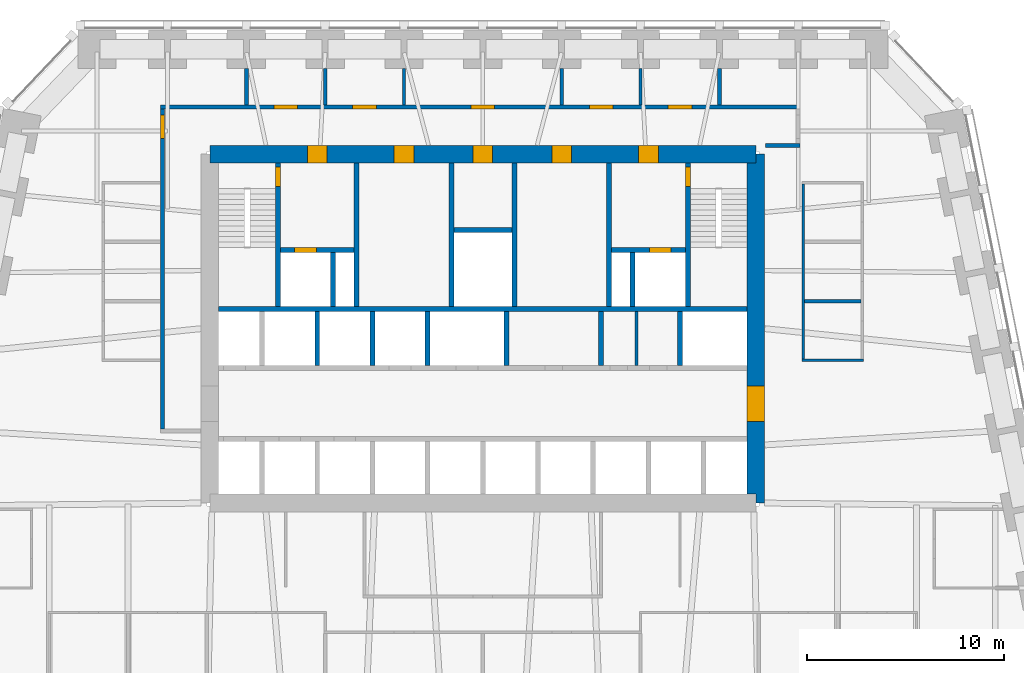
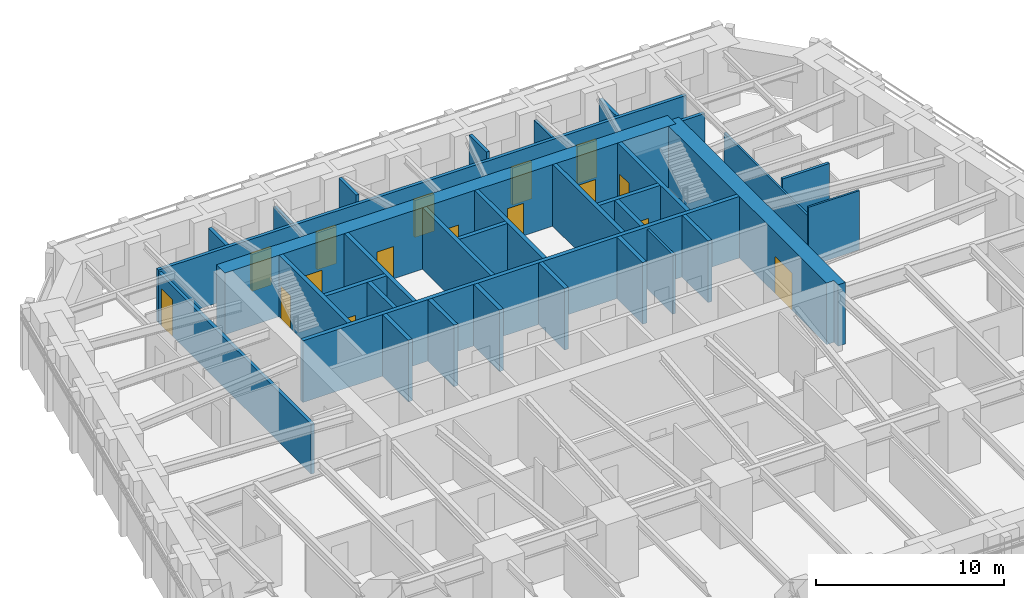
# One storey, part 7 of 10: 33 walls, 16 doors, 16 openings.
"""IFC4 building model written with IfcOpenShell, lengths in metres."""

from ifc_helpers import new_model, si_unit, direction, frame, frame_2d, origin, place, context, subcontext, project, spatial, polyline, rectangle, outline, extrude, material, layer, layer_set, type_object, element, fill, save


model = new_model("IFC4")

# Units and contexts
model_context = context("Model", 3, precision=1e-05, world=origin(), true_north=direction((0.0, 1.0)))
body_context = subcontext(model_context, "Body", "Model", "MODEL_VIEW")
ifc_project = project(units=[si_unit("LENGTHUNIT", "METRE"), si_unit("AREAUNIT", "SQUARE_METRE"), si_unit("VOLUMEUNIT", "CUBIC_METRE"), si_unit("PLANEANGLEUNIT", "RADIAN"), si_unit("MASSUNIT", "GRAM", prefix="KILO")], contexts=[model_context])

# Site, building, storey
site_placement = place(None, origin())
site = spatial("IfcSite", under=ifc_project, at=site_placement, CompositionType="ELEMENT")
building_placement = place(site_placement, origin())
building = spatial("IfcBuilding", under=site, at=building_placement, Name="Isbrekke Arena Tower", CompositionType="ELEMENT")
storey_placement = place(building_placement, frame((0.0, 0.0, 80.0)))
storey = spatial("IfcBuildingStorey", under=building, at=storey_placement, Name="L17", CompositionType="ELEMENT", Elevation=80.0)

# Wall, opening, door
ifc_material_1 = material(Name="Concrete B65 (C65/80)", Category="concrete")
ifc_layer_1 = layer(ifc_material_1, 0.89990234375)
ifc_layer_set_1 = layer_set([ifc_layer_1], Name="CW2 CORE WALL 900")
wall_type_1 = type_object("IfcWallType", Name="CW2 CORE WALL 900", PredefinedType="SHEAR", material=ifc_layer_set_1)
wall_1_placement = place(storey_placement, frame((13.85009765625, 6.14990234375, 0.0), z_axis=(0.0, 0.0, 1.0), x_axis=(0.0, 1.0, 0.0)))
wall_1 = element("IfcWall", 1, at=wall_1_placement, inside=storey, type_object=wall_type_1, Name="Core wall E L17", PredefinedType="SHEAR", context=body_context, shape_type="SweptSolid", body=[
    extrude(outline(polyline([(0.0, -0.449951171875), (17.7001953125, -0.449951171875), (17.7001953125, 0.0), (17.250244140625, 0.0), (17.250244140625, 0.449951171875), (0.449951171875, 0.449951171875), (0.449951171875, 0.0), (0.0, 0.0), (0.0, -0.449951171875)])), origin(), (0.0, 0.0, 1.0), 4.0),
])
opening_1_placement = place(wall_1_placement, frame((4.14990234375, 0.0, 0.0)))
opening_1 = element("IfcOpeningElement", 2, at=opening_1_placement, cuts=wall_1, Name="Opening D1", PredefinedType="OPENING", context=body_context, shape_type="SweptSolid", body=[
    extrude(rectangle(XDim=1.800048828125, YDim=2.39990234375, at=frame_2d((0.89990234375, 1.199951171875))), frame((0.0, 0.46484375, 0.0), z_axis=(0.0, -1.0, 0.0), x_axis=(1.0, 0.0, 0.0)), (0.0, 0.0, 1.0), 0.9296875),
])
ifc_material_2 = material(Name="Steel-framed glazed fire door", Category="steel")
door_type_1 = type_object("IfcDoorType", Name="D1 CORE LOBBY DOOR 1800 x 2400", OperationType="DOUBLE_DOOR_SINGLE_SWING", PredefinedType="DOOR", material=ifc_material_2)
door_1_placement = place(opening_1_placement, origin())
door_1 = element("IfcDoor", 3, at=door_1_placement, inside=storey, type_object=door_type_1, Name="D1 lift lobby door east L17", OperationType="DOUBLE_DOOR_SINGLE_SWING", OverallHeight=2.39990234375, OverallWidth=1.800048828125, PredefinedType="DOOR", context=body_context, shape_type="SweptSolid", body=[
    extrude(rectangle(XDim=1.800048828125, YDim=2.39990234375, at=frame_2d((0.89990234375, 1.199951171875))), frame((0.0, 0.44970703125, 0.0), z_axis=(0.0, -1.0, 0.0), x_axis=(1.0, 0.0, 0.0)), (0.0, 0.0, 1.0), 0.8994140625),
])
fill(opening_1, door_1)

# Wall, openings, doors
wall_2_placement = place(storey_placement, frame((13.85009765625, 23.85009765625, 0.0), z_axis=(0.0, 0.0, 1.0), x_axis=(-1.0, 0.0, 0.0)))
wall_2 = element("IfcWall", 4, at=wall_2_placement, inside=storey, type_object=wall_type_1, Name="Core wall N L17", PredefinedType="SHEAR", context=body_context, shape_type="SweptSolid", body=[
    extrude(rectangle(XDim=27.7001953125, YDim=0.89990234375, at=frame_2d((13.85009765625, 0.0))), origin(), (0.0, 0.0, 1.0), 4.0),
])
opening_2_placement = place(wall_2_placement, frame((21.75, 0.0, 0.0)))
opening_2 = element("IfcOpeningElement", 5, at=opening_2_placement, cuts=wall_2, Name="Opening D3", PredefinedType="OPENING", context=body_context, shape_type="SweptSolid", body=[
    extrude(rectangle(XDim=1.0, YDim=2.10009765625, at=frame_2d((0.5, 1.050048828125))), frame((0.0, 0.46484375, 0.0), z_axis=(0.0, -1.0, 0.0), x_axis=(1.0, 0.0, 0.0)), (0.0, 0.0, 1.0), 0.9296875),
])
opening_3_placement = place(wall_2_placement, frame((4.949951171875, 0.0, 0.0)))
opening_3 = element("IfcOpeningElement", 6, at=opening_3_placement, cuts=wall_2, Name="Opening D3", PredefinedType="OPENING", context=body_context, shape_type="SweptSolid", body=[
    extrude(rectangle(XDim=1.0, YDim=2.10009765625, at=frame_2d((0.5, 1.050048828125))), frame((0.0, 0.46484375, 0.0), z_axis=(0.0, -1.0, 0.0), x_axis=(1.0, 0.0, 0.0)), (0.0, 0.0, 1.0), 0.9296875),
])
opening_4_placement = place(wall_2_placement, frame((17.35009765625, 0.0, 0.0)))
opening_4 = element("IfcOpeningElement", 7, at=opening_4_placement, cuts=wall_2, Name="Opening D4", PredefinedType="OPENING", context=body_context, shape_type="SweptSolid", body=[
    extrude(rectangle(XDim=1.0, YDim=2.10009765625, at=frame_2d((0.5, 1.050048828125))), frame((0.0, 0.46484375, 0.0), z_axis=(0.0, -1.0, 0.0), x_axis=(1.0, 0.0, 0.0)), (0.0, 0.0, 1.0), 0.9296875),
])
opening_5_placement = place(wall_2_placement, frame((13.35009765625, 0.0, 0.0)))
opening_5 = element("IfcOpeningElement", 8, at=opening_5_placement, cuts=wall_2, Name="Opening D4", PredefinedType="OPENING", context=body_context, shape_type="SweptSolid", body=[
    extrude(rectangle(XDim=1.0, YDim=2.10009765625, at=frame_2d((0.5, 1.050048828125))), frame((0.0, 0.46484375, 0.0), z_axis=(0.0, -1.0, 0.0), x_axis=(1.0, 0.0, 0.0)), (0.0, 0.0, 1.0), 0.9296875),
])
opening_6_placement = place(wall_2_placement, frame((9.35009765625, 0.0, 0.0)))
opening_6 = element("IfcOpeningElement", 9, at=opening_6_placement, cuts=wall_2, Name="Opening D4", PredefinedType="OPENING", context=body_context, shape_type="SweptSolid", body=[
    extrude(rectangle(XDim=1.0, YDim=2.10009765625, at=frame_2d((0.5, 1.050048828125))), frame((0.0, 0.46484375, 0.0), z_axis=(0.0, -1.0, 0.0), x_axis=(1.0, 0.0, 0.0)), (0.0, 0.0, 1.0), 0.9296875),
])
ifc_material_3 = material(Name="Steel fire door", Category="steel")
door_type_2 = type_object("IfcDoorType", Name="D3 FIRE LOBBY DOOR 1000 x 2100", OperationType="SINGLE_SWING_RIGHT", PredefinedType="DOOR", material=ifc_material_3)
door_2_placement = place(opening_2_placement, origin())
door_2 = element("IfcDoor", 10, at=door_2_placement, inside=storey, type_object=door_type_2, Name="D3 fire-fighting lobby door L17", OperationType="SINGLE_SWING_RIGHT", OverallHeight=2.10009765625, OverallWidth=1.0, PredefinedType="DOOR", context=body_context, shape_type="SweptSolid", body=[
    extrude(rectangle(XDim=1.0, YDim=2.10009765625, at=frame_2d((0.5, 1.050048828125))), frame((0.0, 0.44970703125, 0.0), z_axis=(0.0, -1.0, 0.0), x_axis=(1.0, 0.0, 0.0)), (0.0, 0.0, 1.0), 0.8994140625),
])
fill(opening_2, door_2)
door_3_placement = place(opening_3_placement, origin())
door_3 = element("IfcDoor", 11, at=door_3_placement, inside=storey, type_object=door_type_2, Name="D3 fire-fighting lobby door L17", OperationType="SINGLE_SWING_RIGHT", OverallHeight=2.10009765625, OverallWidth=1.0, PredefinedType="DOOR", context=body_context, shape_type="SweptSolid", body=[
    extrude(rectangle(XDim=1.0, YDim=2.10009765625, at=frame_2d((0.5, 1.050048828125))), frame((0.0, 0.44970703125, 0.0), z_axis=(0.0, -1.0, 0.0), x_axis=(1.0, 0.0, 0.0)), (0.0, 0.0, 1.0), 0.8994140625),
])
fill(opening_3, door_3)
ifc_material_4 = material(Name="Timber door", Category="wood")
door_type_3 = type_object("IfcDoorType", Name="D4 WC DOOR 1000 x 2100", OperationType="SINGLE_SWING_LEFT", PredefinedType="DOOR", material=ifc_material_4)
door_4_placement = place(opening_4_placement, origin())
door_4 = element("IfcDoor", 12, at=door_4_placement, inside=storey, type_object=door_type_3, Name="D4 wc female door L17", OperationType="SINGLE_SWING_LEFT", OverallHeight=2.10009765625, OverallWidth=1.0, PredefinedType="DOOR", context=body_context, shape_type="SweptSolid", body=[
    extrude(rectangle(XDim=1.0, YDim=2.10009765625, at=frame_2d((0.5, 1.050048828125))), frame((0.0, 0.44970703125, 0.0), z_axis=(0.0, -1.0, 0.0), x_axis=(1.0, 0.0, 0.0)), (0.0, 0.0, 1.0), 0.8994140625),
])
fill(opening_4, door_4)
door_5_placement = place(opening_5_placement, origin())
door_5 = element("IfcDoor", 13, at=door_5_placement, inside=storey, type_object=door_type_3, Name="D4 accessible wc door L17", OperationType="SINGLE_SWING_LEFT", OverallHeight=2.10009765625, OverallWidth=1.0, PredefinedType="DOOR", context=body_context, shape_type="SweptSolid", body=[
    extrude(rectangle(XDim=1.0, YDim=2.10009765625, at=frame_2d((0.5, 1.050048828125))), frame((0.0, 0.44970703125, 0.0), z_axis=(0.0, -1.0, 0.0), x_axis=(1.0, 0.0, 0.0)), (0.0, 0.0, 1.0), 0.8994140625),
])
fill(opening_5, door_5)
door_6_placement = place(opening_6_placement, origin())
door_6 = element("IfcDoor", 14, at=door_6_placement, inside=storey, type_object=door_type_3, Name="D4 wc male door L17", OperationType="SINGLE_SWING_LEFT", OverallHeight=2.10009765625, OverallWidth=1.0, PredefinedType="DOOR", context=body_context, shape_type="SweptSolid", body=[
    extrude(rectangle(XDim=1.0, YDim=2.10009765625, at=frame_2d((0.5, 1.050048828125))), frame((0.0, 0.44970703125, 0.0), z_axis=(0.0, -1.0, 0.0), x_axis=(1.0, 0.0, 0.0)), (0.0, 0.0, 1.0), 0.8994140625),
])
fill(opening_6, door_6)

# Walls
ifc_material_5 = material(Name="Concrete B45 (C45/55)", Category="concrete")
ifc_layer_2 = layer(ifc_material_5, 0.25)
ifc_layer_set_2 = layer_set([ifc_layer_2], Name="CW6 SHAFT WALL 250")
wall_type_2 = type_object("IfcWallType", Name="CW6 SHAFT WALL 250", PredefinedType="SHEAR", material=ifc_layer_set_2)
wall_3_placement = place(storey_placement, frame((-13.39990234375, 16.0, 0.0), z_axis=(0.0, 0.0, 1.0), x_axis=(1.0, 0.0, 0.0)))
element("IfcWall", 15, at=wall_3_placement, inside=storey, type_object=wall_type_2, Name="Core wall NB L17", PredefinedType="SHEAR", context=body_context, shape_type="SweptSolid", body=[
    extrude(rectangle(XDim=26.7998046875, YDim=0.25, at=frame_2d((13.39990234375, 0.0))), origin(), (0.0, 0.0, 1.0), 4.0),
])
for number, where, z_axis, x_axis, name in (
    (16, (-8.39990234375, 13.125, 0.0), (0.0, 0.0, 1.0), (0.0, 1.0, 0.0), "Core wall SN02 L17"),
    (17, (-5.60009765625, 13.125, 0.0), (0.0, 0.0, 1.0), (0.0, 1.0, 0.0), "Core wall SN03 L17"),
    (18, (-2.800048828125, 13.125, 0.0), (0.0, 0.0, 1.0), (0.0, 1.0, 0.0), "Core wall SN04 L17"),
    (19, (1.199951171875, 13.125, 0.0), (0.0, 0.0, 1.0), (0.0, 1.0, 0.0), "Core wall SN05 L17"),
    (20, (6.0, 13.125, 0.0), (0.0, 0.0, 1.0), (0.0, 1.0, 0.0), "Core wall SN06 L17"),
    (21, (10.0, 13.125, 0.0), (0.0, 0.0, 1.0), (0.0, 1.0, 0.0), "Core wall SN07 L17"),
):
    element("IfcWall", number, at=place(storey_placement, frame(where, z_axis=z_axis, x_axis=x_axis)), inside=storey, type_object=wall_type_2, Name=name, PredefinedType="SHEAR", context=body_context, shape_type="SweptSolid", body=[
        extrude(rectangle(XDim=2.75, YDim=0.25, at=frame_2d((1.375, 0.0))), origin(), (0.0, 0.0, 1.0), 4.0),
    ])

# Wall, opening, door
wall_4_placement = place(storey_placement, frame((-10.39990234375, 16.125, 0.0), z_axis=(0.0, 0.0, 1.0), x_axis=(0.0, 1.0, 0.0)))
wall_4 = element("IfcWall", 22, at=wall_4_placement, inside=storey, type_object=wall_type_2, Name="Core wall NV01 L17", PredefinedType="SHEAR", context=body_context, shape_type="SweptSolid", body=[
    extrude(rectangle(XDim=7.27490234375, YDim=0.25, at=frame_2d((3.637451171875, 0.0))), origin(), (0.0, 0.0, 1.0), 4.0),
])
opening_7_placement = place(wall_4_placement, frame((6.074951171875, 0.0, 0.0)))
opening_7 = element("IfcOpeningElement", 23, at=opening_7_placement, cuts=wall_4, Name="Opening D2", PredefinedType="OPENING", context=body_context, shape_type="SweptSolid", body=[
    extrude(rectangle(XDim=1.0, YDim=2.10009765625, at=frame_2d((0.5, 1.050048828125))), frame((0.0, 0.139892578125, 0.0), z_axis=(0.0, -1.0, 0.0), x_axis=(1.0, 0.0, 0.0)), (0.0, 0.0, 1.0), 0.27978515625),
])
ifc_material_6 = material(Name="Steel fire door", Category="steel")
door_type_4 = type_object("IfcDoorType", Name="D2 STAIR DOOR 1000 x 2100", OperationType="SINGLE_SWING_LEFT", PredefinedType="DOOR", material=ifc_material_6)
door_7_placement = place(opening_7_placement, origin())
door_7 = element("IfcDoor", 24, at=door_7_placement, inside=storey, type_object=door_type_4, Name="D2 stair door ST1 L17", OperationType="SINGLE_SWING_LEFT", OverallHeight=2.10009765625, OverallWidth=1.0, PredefinedType="DOOR", context=body_context, shape_type="SweptSolid", body=[
    extrude(rectangle(XDim=1.0, YDim=2.10009765625, at=frame_2d((0.5, 1.050048828125))), frame((0.0, 0.124755859375, 0.0), z_axis=(0.0, -1.0, 0.0), x_axis=(1.0, 0.0, 0.0)), (0.0, 0.0, 1.0), 0.24951171875),
])
fill(opening_7, door_7)

# Walls
for number, where, z_axis, x_axis, name in (
    (25, (-6.39990234375, 16.125, 0.0), (0.0, 0.0, 1.0), (0.0, 1.0, 0.0), "Core wall NV02 L17"),
    (26, (-1.60009765625, 16.125, 0.0), (0.0, 0.0, 1.0), (0.0, 1.0, 0.0), "Core wall NV03 L17"),
    (27, (1.60009765625, 16.125, 0.0), (0.0, 0.0, 1.0), (0.0, 1.0, 0.0), "Core wall NV04 L17"),
    (28, (6.39990234375, 16.125, 0.0), (0.0, 0.0, 1.0), (0.0, 1.0, 0.0), "Core wall NV05 L17"),
):
    element("IfcWall", number, at=place(storey_placement, frame(where, z_axis=z_axis, x_axis=x_axis)), inside=storey, type_object=wall_type_2, Name=name, PredefinedType="SHEAR", context=body_context, shape_type="SweptSolid", body=[
        extrude(rectangle(XDim=7.27490234375, YDim=0.25, at=frame_2d((3.637451171875, 0.0))), origin(), (0.0, 0.0, 1.0), 4.0),
    ])

# Wall, opening, door
wall_5_placement = place(storey_placement, frame((10.39990234375, 16.125, 0.0), z_axis=(0.0, 0.0, 1.0), x_axis=(0.0, 1.0, 0.0)))
wall_5 = element("IfcWall", 29, at=wall_5_placement, inside=storey, type_object=wall_type_2, Name="Core wall NV06 L17", PredefinedType="SHEAR", context=body_context, shape_type="SweptSolid", body=[
    extrude(rectangle(XDim=7.27490234375, YDim=0.25, at=frame_2d((3.637451171875, 0.0))), origin(), (0.0, 0.0, 1.0), 4.0),
])
opening_8_placement = place(wall_5_placement, frame((6.074951171875, 0.0, 0.0)))
opening_8 = element("IfcOpeningElement", 30, at=opening_8_placement, cuts=wall_5, Name="Opening D2", PredefinedType="OPENING", context=body_context, shape_type="SweptSolid", body=[
    extrude(rectangle(XDim=1.0, YDim=2.10009765625, at=frame_2d((0.5, 1.050048828125))), frame((0.0, 0.139892578125, 0.0), z_axis=(0.0, -1.0, 0.0), x_axis=(1.0, 0.0, 0.0)), (0.0, 0.0, 1.0), 0.27978515625),
])
door_8_placement = place(opening_8_placement, origin())
door_8 = element("IfcDoor", 31, at=door_8_placement, inside=storey, type_object=door_type_4, Name="D2 stair door ST2 L17", OperationType="SINGLE_SWING_LEFT", OverallHeight=2.10009765625, OverallWidth=1.0, PredefinedType="DOOR", context=body_context, shape_type="SweptSolid", body=[
    extrude(rectangle(XDim=1.0, YDim=2.10009765625, at=frame_2d((0.5, 1.050048828125))), frame((0.0, 0.124755859375, 0.0), z_axis=(0.0, -1.0, 0.0), x_axis=(1.0, 0.0, 0.0)), (0.0, 0.0, 1.0), 0.24951171875),
])
fill(opening_8, door_8)

wall_6_placement = place(storey_placement, frame((-10.27490234375, 19.0, 0.0), z_axis=(0.0, 0.0, 1.0), x_axis=(1.0, 0.0, 0.0)))
wall_6 = element("IfcWall", 32, at=wall_6_placement, inside=storey, type_object=wall_type_2, Name="Core wall NFW L17", PredefinedType="SHEAR", context=body_context, shape_type="SweptSolid", body=[
    extrude(rectangle(XDim=3.75, YDim=0.25, at=frame_2d((1.875, 0.0))), origin(), (0.0, 0.0, 1.0), 4.0),
])
opening_9_placement = place(wall_6_placement, frame((0.72509765625, 0.0, 0.0)))
opening_9 = element("IfcOpeningElement", 33, at=opening_9_placement, cuts=wall_6, Name="Opening LD2", PredefinedType="OPENING", context=body_context, shape_type="SweptSolid", body=[
    extrude(rectangle(XDim=1.10009765625, YDim=2.10009765625, at=frame_2d((0.550048828125, 1.050048828125))), frame((0.0, 0.139892578125, 0.0), z_axis=(0.0, -1.0, 0.0), x_axis=(1.0, 0.0, 0.0)), (0.0, 0.0, 1.0), 0.27978515625),
])
ifc_material_7 = material(Name="Stainless steel lift landing door", Category="steel")
door_type_5 = type_object("IfcDoorType", Name="LD2 FIRE-FIGHTING LIFT LANDING DOOR 1100 x 2100", OperationType="SLIDING_TO_RIGHT", PredefinedType="DOOR", material=ifc_material_7)
door_9_placement = place(opening_9_placement, origin())
door_9 = element("IfcDoor", 34, at=door_9_placement, inside=storey, type_object=door_type_5, Name="LD2 lift landing door LF L17", OperationType="SLIDING_TO_RIGHT", OverallHeight=2.10009765625, OverallWidth=1.10009765625, PredefinedType="DOOR", context=body_context, shape_type="SweptSolid", body=[
    extrude(rectangle(XDim=1.10009765625, YDim=2.10009765625, at=frame_2d((0.550048828125, 1.050048828125))), frame((0.0, 0.124755859375, 0.0), z_axis=(0.0, -1.0, 0.0), x_axis=(1.0, 0.0, 0.0)), (0.0, 0.0, 1.0), 0.24951171875),
])
fill(opening_9, door_9)

wall_7_placement = place(storey_placement, frame((6.52490234375, 19.0, 0.0), z_axis=(0.0, 0.0, 1.0), x_axis=(1.0, 0.0, 0.0)))
wall_7 = element("IfcWall", 35, at=wall_7_placement, inside=storey, type_object=wall_type_2, Name="Core wall NFE L17", PredefinedType="SHEAR", context=body_context, shape_type="SweptSolid", body=[
    extrude(rectangle(XDim=3.75, YDim=0.25, at=frame_2d((1.875, 0.0))), origin(), (0.0, 0.0, 1.0), 4.0),
])
opening_10_placement = place(wall_7_placement, frame((1.925048828125, 0.0, 0.0)))
opening_10 = element("IfcOpeningElement", 36, at=opening_10_placement, cuts=wall_7, Name="Opening LD2", PredefinedType="OPENING", context=body_context, shape_type="SweptSolid", body=[
    extrude(rectangle(XDim=1.10009765625, YDim=2.10009765625, at=frame_2d((0.550048828125, 1.050048828125))), frame((0.0, 0.139892578125, 0.0), z_axis=(0.0, -1.0, 0.0), x_axis=(1.0, 0.0, 0.0)), (0.0, 0.0, 1.0), 0.27978515625),
])
door_10_placement = place(opening_10_placement, origin())
door_10 = element("IfcDoor", 37, at=door_10_placement, inside=storey, type_object=door_type_5, Name="LD2 lift landing door LF L17", OperationType="SLIDING_TO_RIGHT", OverallHeight=2.10009765625, OverallWidth=1.10009765625, PredefinedType="DOOR", context=body_context, shape_type="SweptSolid", body=[
    extrude(rectangle(XDim=1.10009765625, YDim=2.10009765625, at=frame_2d((0.550048828125, 1.050048828125))), frame((0.0, 0.124755859375, 0.0), z_axis=(0.0, -1.0, 0.0), x_axis=(1.0, 0.0, 0.0)), (0.0, 0.0, 1.0), 0.24951171875),
])
fill(opening_10, door_10)

# Walls
for number, where, z_axis, x_axis, name in (
    (38, (-7.60009765625, 16.125, 0.0), (0.0, 0.0, 1.0), (0.0, 1.0, 0.0), "Core wall NFS1 L17"),
    (39, (7.60009765625, 16.125, 0.0), (0.0, 0.0, 1.0), (0.0, 1.0, 0.0), "Core wall NFS2 L17"),
):
    element("IfcWall", number, at=place(storey_placement, frame(where, z_axis=z_axis, x_axis=x_axis)), inside=storey, type_object=wall_type_2, Name=name, PredefinedType="SHEAR", context=body_context, shape_type="SweptSolid", body=[
        extrude(rectangle(XDim=2.75, YDim=0.25, at=frame_2d((1.375, 0.0))), origin(), (0.0, 0.0, 1.0), 4.0),
    ])
wall_8_placement = place(storey_placement, frame((-1.47509765625, 20.0, 0.0), z_axis=(0.0, 0.0, 1.0), x_axis=(1.0, 0.0, 0.0)))
element("IfcWall", 40, at=wall_8_placement, inside=storey, type_object=wall_type_2, Name="Core wall NWC L17", PredefinedType="SHEAR", context=body_context, shape_type="SweptSolid", body=[
    extrude(rectangle(XDim=2.9501953125, YDim=0.25, at=frame_2d((1.47509765625, 0.0))), origin(), (0.0, 0.0, 1.0), 4.0),
])
ifc_material_8 = material(Name="Frameless glazed partition, laminated acoustic glass", Category="glass")
ifc_layer_3 = layer(ifc_material_8, 0.1201171875)
ifc_layer_set_3 = layer_set([ifc_layer_3], Name="IW2 GLAZED PARTITION 120")
wall_type_3 = type_object("IfcWallType", Name="IW2 GLAZED PARTITION 120", PredefinedType="PARTITIONING", material=ifc_layer_set_3)
wall_9_placement = place(storey_placement, frame((16.18994140625, 13.39990234375, 0.0), z_axis=(0.0, 0.0, 1.0), x_axis=(1.0, 0.0, 0.0)))
element("IfcWall", 41, at=wall_9_placement, inside=storey, type_object=wall_type_3, Name="IW2 glazed partition 120 L17", PredefinedType="PARTITIONING", context=body_context, shape_type="SweptSolid", body=[
    extrude(rectangle(XDim=3.1201171875, YDim=0.1201171875, at=frame_2d((1.56005859375, 0.0))), origin(), (0.0, 0.0, 1.0), 3.85009765625),
])
wall_10_placement = place(storey_placement, frame((16.25, 13.4599609375, 0.0), z_axis=(0.0, 0.0, 1.0), x_axis=(0.0, 1.0, 0.0)))
element("IfcWall", 42, at=wall_10_placement, inside=storey, type_object=wall_type_3, Name="IW2 glazed partition 120 L17", PredefinedType="PARTITIONING", context=body_context, shape_type="SweptSolid", body=[
    extrude(rectangle(XDim=8.880126953125, YDim=0.1201171875, at=frame_2d((4.43994140625, 0.0))), origin(), (0.0, 0.0, 1.0), 3.25),
])
ifc_material_9 = material(Name="Gypsum board fire-cell wall on steel studs, two layers each side", Category="steel")
ifc_layer_4 = layer(ifc_material_9, 0.199951171875)
ifc_layer_set_4 = layer_set([ifc_layer_4], Name="IW3 FIRE-CELL WALL 200")
wall_type_4 = type_object("IfcWallType", Name="IW3 FIRE-CELL WALL 200", PredefinedType="PARTITIONING", material=ifc_layer_set_4)
wall_11_placement = place(storey_placement, frame((14.330078125, 24.300048828125, 0.0), z_axis=(0.0, 0.0, 1.0), x_axis=(1.0, 0.0, 0.0)))
element("IfcWall", 43, at=wall_11_placement, inside=storey, type_object=wall_type_4, Name="IW3 fire-cell wall 200 L17", PredefinedType="PARTITIONING", context=body_context, shape_type="SweptSolid", body=[
    extrude(rectangle(XDim=1.77001953125, YDim=0.199951171875, at=frame_2d((0.885009765625, 0.0))), origin(), (0.0, 0.0, 1.0), 3.39990234375),
])

# Wall, openings, doors
wall_12_placement = place(storey_placement, frame((-16.35009765625, 26.25, 0.0), z_axis=(0.0, 0.0, 1.0), x_axis=(1.0, 0.0, 0.0)))
wall_12 = element("IfcWall", 44, at=wall_12_placement, inside=storey, type_object=wall_type_4, Name="IW3 fire-cell wall 200 L17", PredefinedType="PARTITIONING", context=body_context, shape_type="SweptSolid", body=[
    extrude(rectangle(XDim=32.4501953125, YDim=0.199951171875, at=frame_2d((16.22509765625, 0.0))), origin(), (0.0, 0.0, 1.0), 3.39990234375),
])
opening_11_placement = place(wall_12_placement, frame((5.75, 0.0, 0.0)))
opening_11 = element("IfcOpeningElement", 45, at=opening_11_placement, cuts=wall_12, Name="Opening D12", PredefinedType="OPENING", context=body_context, shape_type="SweptSolid", body=[
    extrude(rectangle(XDim=1.199951171875, YDim=2.39990234375, at=frame_2d((0.60009765625, 1.199951171875))), frame((0.0, 0.11474609375, 0.0), z_axis=(0.0, -1.0, 0.0), x_axis=(1.0, 0.0, 0.0)), (0.0, 0.0, 1.0), 0.229736328125),
])
opening_12_placement = place(wall_12_placement, frame((9.75, 0.0, 0.0)))
opening_12 = element("IfcOpeningElement", 46, at=opening_12_placement, cuts=wall_12, Name="Opening D12", PredefinedType="OPENING", context=body_context, shape_type="SweptSolid", body=[
    extrude(rectangle(XDim=1.199951171875, YDim=2.39990234375, at=frame_2d((0.60009765625, 1.199951171875))), frame((0.0, 0.11474609375, 0.0), z_axis=(0.0, -1.0, 0.0), x_axis=(1.0, 0.0, 0.0)), (0.0, 0.0, 1.0), 0.229736328125),
])
opening_13_placement = place(wall_12_placement, frame((15.75, 0.0, 0.0)))
opening_13 = element("IfcOpeningElement", 47, at=opening_13_placement, cuts=wall_12, Name="Opening D12", PredefinedType="OPENING", context=body_context, shape_type="SweptSolid", body=[
    extrude(rectangle(XDim=1.199951171875, YDim=2.39990234375, at=frame_2d((0.60009765625, 1.199951171875))), frame((0.0, 0.11474609375, 0.0), z_axis=(0.0, -1.0, 0.0), x_axis=(1.0, 0.0, 0.0)), (0.0, 0.0, 1.0), 0.229736328125),
])
opening_14_placement = place(wall_12_placement, frame((21.75, 0.0, 0.0)))
opening_14 = element("IfcOpeningElement", 48, at=opening_14_placement, cuts=wall_12, Name="Opening D12", PredefinedType="OPENING", context=body_context, shape_type="SweptSolid", body=[
    extrude(rectangle(XDim=1.199951171875, YDim=2.39990234375, at=frame_2d((0.60009765625, 1.199951171875))), frame((0.0, 0.11474609375, 0.0), z_axis=(0.0, -1.0, 0.0), x_axis=(1.0, 0.0, 0.0)), (0.0, 0.0, 1.0), 0.229736328125),
])
opening_15_placement = place(wall_12_placement, frame((25.75, 0.0, 0.0)))
opening_15 = element("IfcOpeningElement", 49, at=opening_15_placement, cuts=wall_12, Name="Opening D12", PredefinedType="OPENING", context=body_context, shape_type="SweptSolid", body=[
    extrude(rectangle(XDim=1.199951171875, YDim=2.39990234375, at=frame_2d((0.60009765625, 1.199951171875))), frame((0.0, 0.11474609375, 0.0), z_axis=(0.0, -1.0, 0.0), x_axis=(1.0, 0.0, 0.0)), (0.0, 0.0, 1.0), 0.229736328125),
])
ifc_material_10 = material(Name="Timber fire door with vision panel", Category="wood")
door_type_6 = type_object("IfcDoorType", Name="D12 SUITE ENTRANCE DOOR 1200 x 2400", OperationType="SINGLE_SWING_LEFT", PredefinedType="DOOR", material=ifc_material_10)
door_11_placement = place(opening_11_placement, origin())
door_11 = element("IfcDoor", 50, at=door_11_placement, inside=storey, type_object=door_type_6, Name="D12 focus room door L17", OperationType="SINGLE_SWING_LEFT", OverallHeight=2.39990234375, OverallWidth=1.199951171875, PredefinedType="DOOR", context=body_context, shape_type="SweptSolid", body=[
    extrude(rectangle(XDim=1.199951171875, YDim=2.39990234375, at=frame_2d((0.60009765625, 1.199951171875))), frame((0.0, 0.099609375, 0.0), z_axis=(0.0, -1.0, 0.0), x_axis=(1.0, 0.0, 0.0)), (0.0, 0.0, 1.0), 0.199462890625),
])
fill(opening_11, door_11)
door_12_placement = place(opening_12_placement, origin())
door_12 = element("IfcDoor", 51, at=door_12_placement, inside=storey, type_object=door_type_6, Name="D12 focus room door L17", OperationType="SINGLE_SWING_LEFT", OverallHeight=2.39990234375, OverallWidth=1.199951171875, PredefinedType="DOOR", context=body_context, shape_type="SweptSolid", body=[
    extrude(rectangle(XDim=1.199951171875, YDim=2.39990234375, at=frame_2d((0.60009765625, 1.199951171875))), frame((0.0, 0.099609375, 0.0), z_axis=(0.0, -1.0, 0.0), x_axis=(1.0, 0.0, 0.0)), (0.0, 0.0, 1.0), 0.199462890625),
])
fill(opening_12, door_12)
door_13_placement = place(opening_13_placement, origin())
door_13 = element("IfcDoor", 52, at=door_13_placement, inside=storey, type_object=door_type_6, Name="D12 meeting room door L17", OperationType="SINGLE_SWING_LEFT", OverallHeight=2.39990234375, OverallWidth=1.199951171875, PredefinedType="DOOR", context=body_context, shape_type="SweptSolid", body=[
    extrude(rectangle(XDim=1.199951171875, YDim=2.39990234375, at=frame_2d((0.60009765625, 1.199951171875))), frame((0.0, 0.099609375, 0.0), z_axis=(0.0, -1.0, 0.0), x_axis=(1.0, 0.0, 0.0)), (0.0, 0.0, 1.0), 0.199462890625),
])
fill(opening_13, door_13)
door_14_placement = place(opening_14_placement, origin())
door_14 = element("IfcDoor", 53, at=door_14_placement, inside=storey, type_object=door_type_6, Name="D12 focus room door L17", OperationType="SINGLE_SWING_LEFT", OverallHeight=2.39990234375, OverallWidth=1.199951171875, PredefinedType="DOOR", context=body_context, shape_type="SweptSolid", body=[
    extrude(rectangle(XDim=1.199951171875, YDim=2.39990234375, at=frame_2d((0.60009765625, 1.199951171875))), frame((0.0, 0.099609375, 0.0), z_axis=(0.0, -1.0, 0.0), x_axis=(1.0, 0.0, 0.0)), (0.0, 0.0, 1.0), 0.199462890625),
])
fill(opening_14, door_14)
door_15_placement = place(opening_15_placement, origin())
door_15 = element("IfcDoor", 54, at=door_15_placement, inside=storey, type_object=door_type_6, Name="D12 focus room door L17", OperationType="SINGLE_SWING_LEFT", OverallHeight=2.39990234375, OverallWidth=1.199951171875, PredefinedType="DOOR", context=body_context, shape_type="SweptSolid", body=[
    extrude(rectangle(XDim=1.199951171875, YDim=2.39990234375, at=frame_2d((0.60009765625, 1.199951171875))), frame((0.0, 0.099609375, 0.0), z_axis=(0.0, -1.0, 0.0), x_axis=(1.0, 0.0, 0.0)), (0.0, 0.0, 1.0), 0.199462890625),
])
fill(opening_15, door_15)

# Wall, opening, door
wall_13_placement = place(storey_placement, frame((-16.25, 9.89990234375, 0.0), z_axis=(0.0, 0.0, 1.0), x_axis=(0.0, 1.0, 0.0)))
wall_13 = element("IfcWall", 55, at=wall_13_placement, inside=storey, type_object=wall_type_4, Name="IW3 fire-cell wall 200 L17", PredefinedType="PARTITIONING", context=body_context, shape_type="SweptSolid", body=[
    extrude(rectangle(XDim=16.25, YDim=0.199951171875, at=frame_2d((8.125, 0.0))), origin(), (0.0, 0.0, 1.0), 3.25),
])
opening_16_placement = place(wall_13_placement, frame((14.75, 0.0, 0.0)))
opening_16 = element("IfcOpeningElement", 56, at=opening_16_placement, cuts=wall_13, Name="Opening D12", PredefinedType="OPENING", context=body_context, shape_type="SweptSolid", body=[
    extrude(rectangle(XDim=1.199951171875, YDim=2.39990234375, at=frame_2d((0.60009765625, 1.199951171875))), frame((0.0, 0.11474609375, 0.0), z_axis=(0.0, -1.0, 0.0), x_axis=(1.0, 0.0, 0.0)), (0.0, 0.0, 1.0), 0.229736328125),
])
door_16_placement = place(opening_16_placement, origin())
door_16 = element("IfcDoor", 57, at=door_16_placement, inside=storey, type_object=door_type_6, Name="D12 suite entrance A door L17", OperationType="SINGLE_SWING_LEFT", OverallHeight=2.39990234375, OverallWidth=1.199951171875, PredefinedType="DOOR", context=body_context, shape_type="SweptSolid", body=[
    extrude(rectangle(XDim=1.199951171875, YDim=2.39990234375, at=frame_2d((0.60009765625, 1.199951171875))), frame((0.0, 0.099609375, 0.0), z_axis=(0.0, -1.0, 0.0), x_axis=(1.0, 0.0, 0.0)), (0.0, 0.0, 1.0), 0.199462890625),
])
fill(opening_16, door_16)

# Walls
for number, where, z_axis, x_axis, name in (
    (58, (-12.0, 26.35009765625, 0.0), (0.0, 0.0, 1.0), (0.0, 1.0, 0.0), "IW3 fire-cell wall 200 L17"),
    (59, (12.0, 26.35009765625, 0.0), (0.0, 0.0, 1.0), (0.0, 1.0, 0.0), "IW3 fire-cell wall 200 L17"),
):
    element("IfcWall", number, at=place(storey_placement, frame(where, z_axis=z_axis, x_axis=x_axis)), inside=storey, type_object=wall_type_4, Name=name, PredefinedType="PARTITIONING", context=body_context, shape_type="SweptSolid", body=[
        extrude(rectangle(XDim=1.849853515625, YDim=0.199951171875, at=frame_2d((0.9248046875, 0.0))), origin(), (0.0, 0.0, 1.0), 3.39990234375),
    ])
ifc_material_11 = material(Name="Gypsum board acoustic partition on twin steel studs", Category="steel")
ifc_layer_5 = layer(ifc_material_11, 0.175048828125)
ifc_layer_set_5 = layer_set([ifc_layer_5], Name="IW4 ACOUSTIC PARTITION 175")
wall_type_5 = type_object("IfcWallType", Name="IW4 ACOUSTIC PARTITION 175", PredefinedType="PARTITIONING", material=ifc_layer_set_5)
wall_14_placement = place(storey_placement, frame((16.31005859375, 16.39990234375, 0.0), z_axis=(0.0, 0.0, 1.0), x_axis=(1.0, 0.0, 0.0)))
element("IfcWall", 60, at=wall_14_placement, inside=storey, type_object=wall_type_5, Name="IW4 acoustic partition 175 L17", PredefinedType="PARTITIONING", context=body_context, shape_type="SweptSolid", body=[
    extrude(rectangle(XDim=2.8798828125, YDim=0.175048828125, at=frame_2d((1.43994140625, 0.0))), origin(), (0.0, 0.0, 1.0), 3.85009765625),
])
wall_15_placement = place(storey_placement, frame((-8.0, 26.35009765625, 0.0), z_axis=(0.0, 0.0, 1.0), x_axis=(0.0, 1.0, 0.0)))
element("IfcWall", 61, at=wall_15_placement, inside=storey, type_object=wall_type_5, Name="IW4 acoustic partition 175 L17", PredefinedType="PARTITIONING", context=body_context, shape_type="SweptSolid", body=[
    extrude(rectangle(XDim=1.849853515625, YDim=0.175048828125, at=frame_2d((0.9248046875, 0.0))), origin(), (0.0, 0.0, 1.0), 3.39990234375),
])
for number, where, z_axis, x_axis, name in (
    (62, (-4.0, 26.35009765625, 0.0), (0.0, 0.0, 1.0), (0.0, 1.0, 0.0), "IW4 acoustic partition 175 L17"),
    (63, (4.0, 26.35009765625, 0.0), (0.0, 0.0, 1.0), (0.0, 1.0, 0.0), "IW4 acoustic partition 175 L17"),
):
    element("IfcWall", number, at=place(storey_placement, frame(where, z_axis=z_axis, x_axis=x_axis)), inside=storey, type_object=wall_type_5, Name=name, PredefinedType="PARTITIONING", context=body_context, shape_type="SweptSolid", body=[
        extrude(rectangle(XDim=1.849853515625, YDim=0.175048828125, at=frame_2d((0.9248046875, 0.0))), origin(), (0.0, 0.0, 1.0), 3.85009765625),
    ])
wall_16_placement = place(storey_placement, frame((8.0, 26.35009765625, 0.0), z_axis=(0.0, 0.0, 1.0), x_axis=(0.0, 1.0, 0.0)))
element("IfcWall", 64, at=wall_16_placement, inside=storey, type_object=wall_type_5, Name="IW4 acoustic partition 175 L17", PredefinedType="PARTITIONING", context=body_context, shape_type="SweptSolid", body=[
    extrude(rectangle(XDim=1.849853515625, YDim=0.175048828125, at=frame_2d((0.9248046875, 0.0))), origin(), (0.0, 0.0, 1.0), 3.39990234375),
])
ifc_material_12 = material(Name="Gypsum board fire-rated partition on steel studs, two layers each side", Category="steel")
ifc_layer_6 = layer(ifc_material_12, 0.14990234375)
ifc_layer_set_6 = layer_set([ifc_layer_6], Name="IW5 FIRE-RATED PARTITION 150")
wall_type_6 = type_object("IfcWallType", Name="IW5 FIRE-RATED PARTITION 150", PredefinedType="PARTITIONING", material=ifc_layer_set_6)
wall_17_placement = place(storey_placement, frame((7.800048828125, 13.125, 0.0), z_axis=(0.0, 0.0, 1.0), x_axis=(0.0, 1.0, 0.0)))
element("IfcWall", 65, at=wall_17_placement, inside=storey, type_object=wall_type_6, Name="IW5 fire-rated partition L17 core service rooms 1", PredefinedType="PARTITIONING", context=body_context, shape_type="SweptSolid", body=[
    extrude(rectangle(XDim=2.75, YDim=0.14990234375, at=frame_2d((1.375, 0.0))), origin(), (0.0, 0.0, 1.0), 3.85009765625),
])

save(model, "model.ifc")
